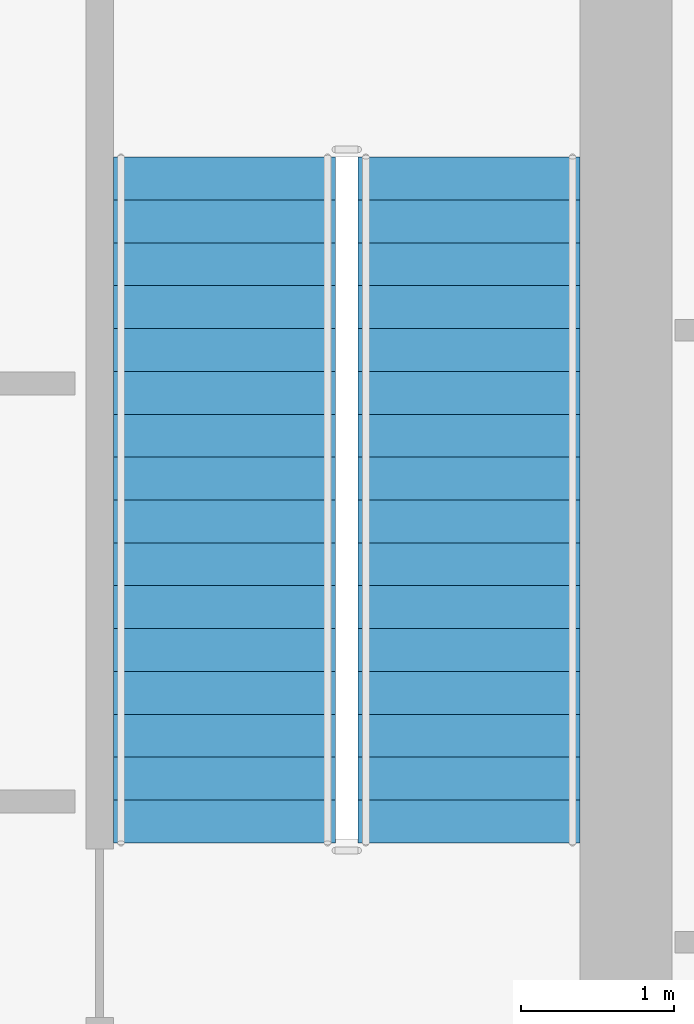
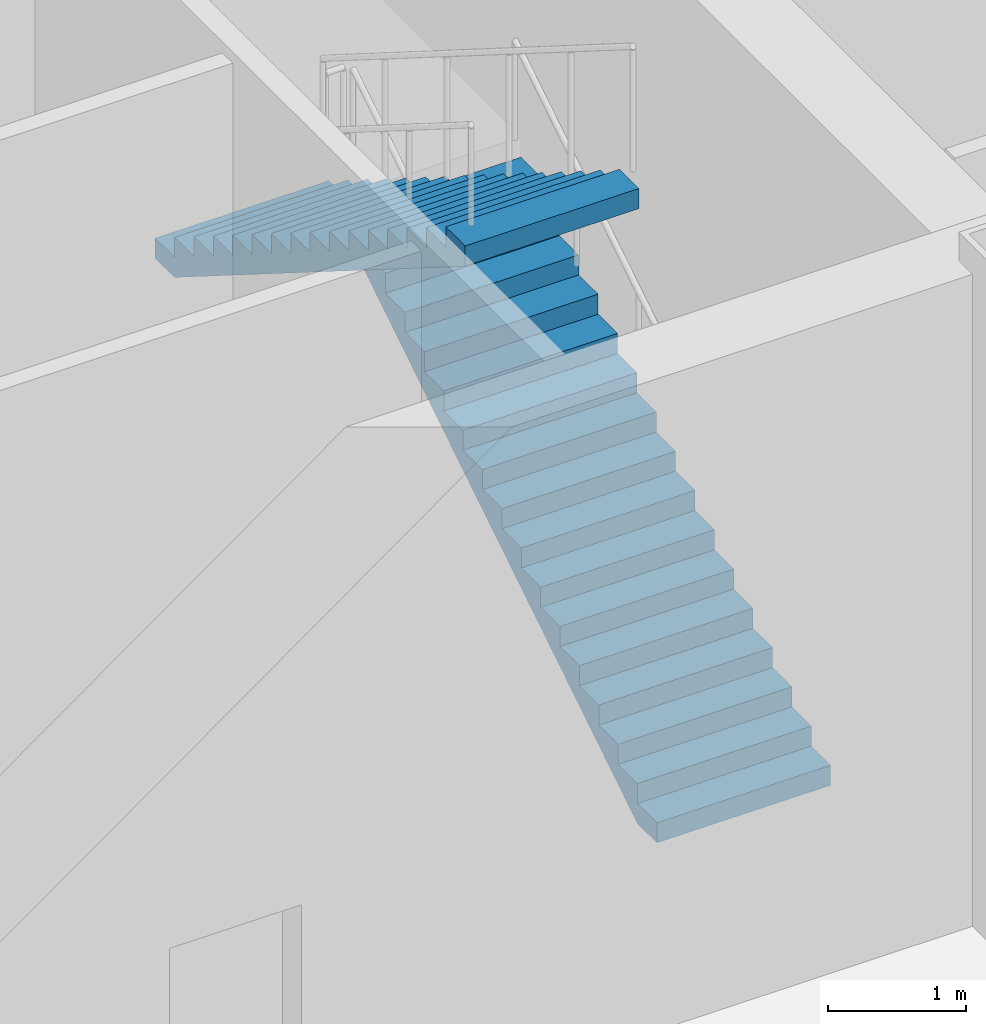
# One storey, part 32 of 35: 2 stair flights, 1 element without a shape of its own.
"""IFC4 building model written with IfcOpenShell, lengths in metres."""

from ifc_helpers import new_model, si_unit, direction, frame, origin, place, context, subcontext, project, spatial, polyline, outline, extrude, material, type_object, element, aggregate, save


model = new_model("IFC4")

# Units and contexts
model_context = context("Model", 3, precision=1e-05, world=origin(), true_north=direction((0.0, 1.0)))
body_context = subcontext(model_context, "Body", "Model", "MODEL_VIEW")
ifc_project = project(units=[si_unit("LENGTHUNIT", "METRE"), si_unit("AREAUNIT", "SQUARE_METRE"), si_unit("VOLUMEUNIT", "CUBIC_METRE"), si_unit("PLANEANGLEUNIT", "RADIAN"), si_unit("MASSUNIT", "GRAM", prefix="KILO")], contexts=[model_context])

# Site, building, storey
site_placement = place(None, origin())
site = spatial("IfcSite", under=ifc_project, at=site_placement, CompositionType="ELEMENT")
building_placement = place(site_placement, origin())
building = spatial("IfcBuilding", under=site, at=building_placement, Name="Saevonmaru Cultural Tower", CompositionType="ELEMENT")
storey_placement = place(building_placement, frame((0.0, 0.0, 86.800048828125)))
storey = spatial("IfcBuildingStorey", under=building, at=storey_placement, Name="L18", CompositionType="ELEMENT", Elevation=86.800048828125)

# Stair, stair flights
ifc_material_1 = material(Name="Concrete C40/50", Category="concrete")
stair_type = type_object("IfcStairType", Name="STR-DOGLEG-RC", PredefinedType="HALF_TURN_STAIR", material=ifc_material_1)
stair_placement = place(storey_placement, origin())
stair = element("IfcStair", 1, at=stair_placement, inside=storey, type_object=stair_type, Name="L18 Protected exit stair ST-2", PredefinedType="HALF_TURN_STAIR")
ifc_material_2 = material(Name="Precast concrete C40/50", Category="concrete")
stair_flight_type = type_object("IfcStairFlightType", Name="STF-PRECAST-180", PredefinedType="STRAIGHT", material=ifc_material_2)
stair_flight_1_placement = place(storey_placement, frame((45.074951171875, 44.85009765625, 0.0), z_axis=(0.0, 0.0, 1.0), x_axis=(0.0, 1.0, 0.0)))
stair_flight_1 = element("IfcStairFlight", 2, at=stair_flight_1_placement, type_object=stair_flight_type, Name="ST-2-L18 flight 1", NumberOfRisers=17, NumberOfTreads=16, PredefinedType="STRAIGHT", RiserHeight=0.176470588, TreadLength=0.28, context=body_context, shape_type="SweptSolid", body=[
    extrude(outline(polyline([(0.0, 0.0), (0.0, 0.176513671875), (0.280029296875, 0.176513671875), (0.280029296875, 0.35302734375), (0.56005859375, 0.35302734375), (0.56005859375, 0.529296875), (0.840087890625, 0.529296875), (0.840087890625, 0.705810546875), (1.1201171875, 0.705810546875), (1.1201171875, 0.88232421875), (1.39990234375, 0.88232421875), (1.39990234375, 1.058837890625), (1.679931640625, 1.058837890625), (1.679931640625, 1.2353515625), (1.9599609375, 1.2353515625), (1.9599609375, 1.411865234375), (2.239990234375, 1.411865234375), (2.239990234375, 1.588134765625), (2.52001953125, 1.588134765625), (2.52001953125, 1.7646484375), (2.800048828125, 1.7646484375), (2.800048828125, 1.941162109375), (3.080078125, 1.941162109375), (3.080078125, 2.11767578125), (3.360107421875, 2.11767578125), (3.360107421875, 2.294189453125), (3.639892578125, 2.294189453125), (3.639892578125, 2.470703125), (3.919921875, 2.470703125), (3.919921875, 2.64697265625), (4.199951171875, 2.64697265625), (4.199951171875, 2.823486328125), (4.47998046875, 2.823486328125), (4.47998046875, 3.0), (4.47998046875, 2.646240234375), (0.28125, 0.0), (0.0, 0.0)])), frame((0.0, 0.72509765625, 0.0), z_axis=(0.0, -1.0, 0.0), x_axis=(1.0, 0.0, 0.0)), (0.0, 0.0, 1.0), 1.449951171875),
])
stair_flight_2_placement = place(storey_placement, frame((43.47509765625, 49.330078125, 3.0), z_axis=(0.0, 0.0, 1.0), x_axis=(0.0, -1.0, 0.0)))
stair_flight_2 = element("IfcStairFlight", 3, at=stair_flight_2_placement, type_object=stair_flight_type, Name="ST-2-L18 flight 2", NumberOfRisers=17, NumberOfTreads=16, PredefinedType="STRAIGHT", RiserHeight=0.176470588, TreadLength=0.28, context=body_context, shape_type="SweptSolid", body=[
    extrude(outline(polyline([(0.0, 0.0), (0.0, 0.176513671875), (0.280029296875, 0.176513671875), (0.280029296875, 0.35302734375), (0.56005859375, 0.35302734375), (0.56005859375, 0.529296875), (0.840087890625, 0.529296875), (0.840087890625, 0.705810546875), (1.1201171875, 0.705810546875), (1.1201171875, 0.88232421875), (1.39990234375, 0.88232421875), (1.39990234375, 1.058837890625), (1.679931640625, 1.058837890625), (1.679931640625, 1.2353515625), (1.9599609375, 1.2353515625), (1.9599609375, 1.411865234375), (2.239990234375, 1.411865234375), (2.239990234375, 1.588134765625), (2.52001953125, 1.588134765625), (2.52001953125, 1.7646484375), (2.800048828125, 1.7646484375), (2.800048828125, 1.941162109375), (3.080078125, 1.941162109375), (3.080078125, 2.11767578125), (3.360107421875, 2.11767578125), (3.360107421875, 2.294189453125), (3.639892578125, 2.294189453125), (3.639892578125, 2.470703125), (3.919921875, 2.470703125), (3.919921875, 2.64697265625), (4.199951171875, 2.64697265625), (4.199951171875, 2.823486328125), (4.47998046875, 2.823486328125), (4.47998046875, 3.0), (4.47998046875, 2.646240234375), (0.28125, 0.0), (0.0, 0.0)])), frame((0.0, 0.72509765625, 0.0), z_axis=(0.0, -1.0, 0.0), x_axis=(1.0, 0.0, 0.0)), (0.0, 0.0, 1.0), 1.449951171875),
])
aggregate(stair, [stair_flight_1, stair_flight_2])

save(model, "model.ifc")
